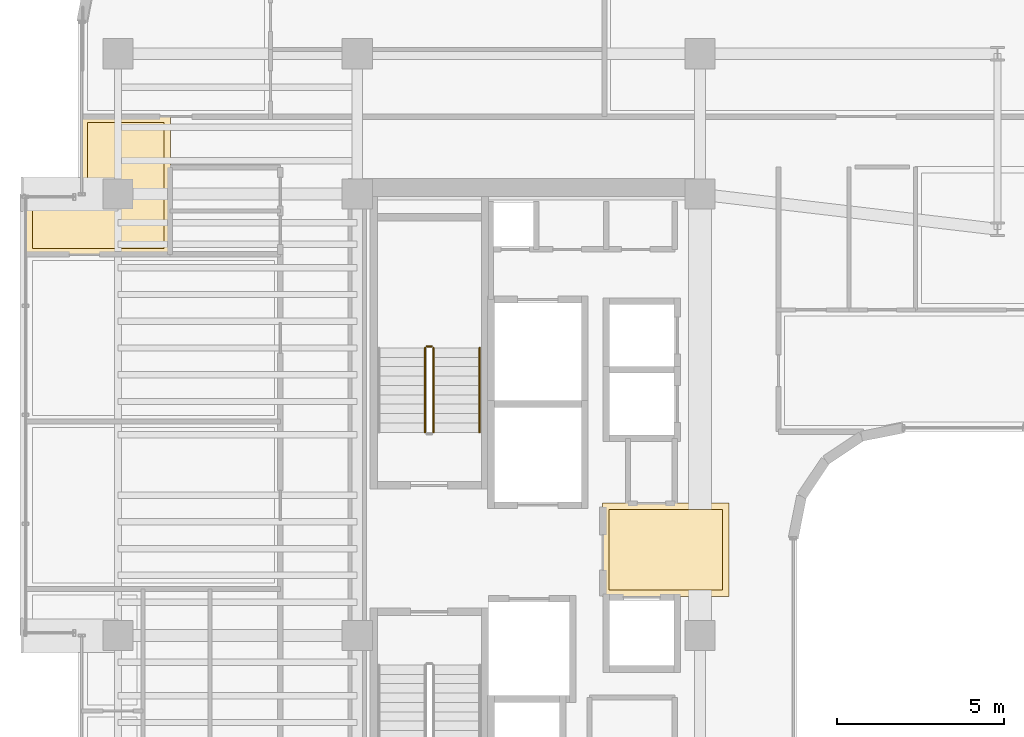
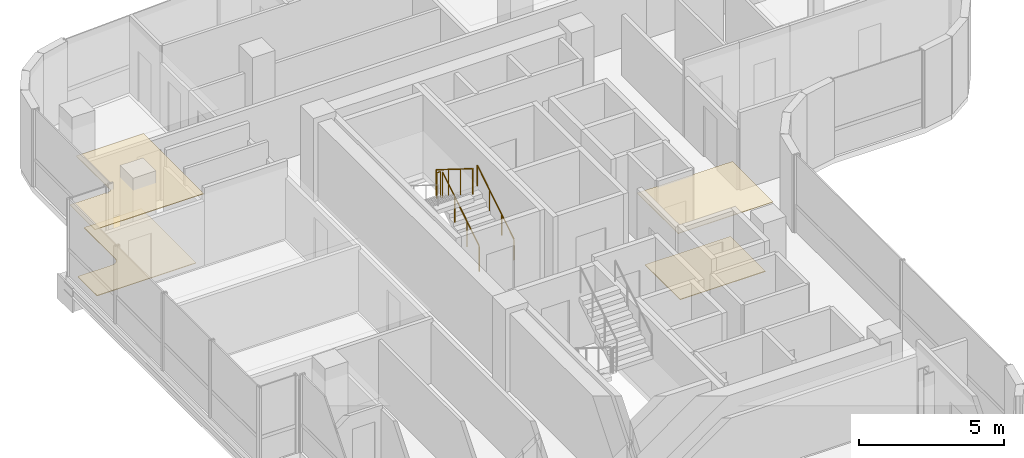
# One storey, part 21 of 22: 4 coverings, 4 railings.
"""IFC4 building model written with IfcOpenShell, lengths in metres."""

from ifc_helpers import new_model, si_unit, direction, frame, origin, origin_2d, place, context, subcontext, project, spatial, polyline, circle, outline, extrude, material, layer, layer_set, type_object, element, save


model = new_model("IFC4")

# Units and contexts
model_context = context("Model", 3, precision=1e-05, world=origin(), true_north=direction((0.0, 1.0)))
body_context = subcontext(model_context, "Body", "Model", "MODEL_VIEW")
ifc_project = project(units=[si_unit("LENGTHUNIT", "METRE"), si_unit("AREAUNIT", "SQUARE_METRE"), si_unit("VOLUMEUNIT", "CUBIC_METRE"), si_unit("PLANEANGLEUNIT", "RADIAN"), si_unit("MASSUNIT", "GRAM", prefix="KILO")], contexts=[model_context])

# Site, building, storey
site_placement = place(None, origin())
site = spatial("IfcSite", under=ifc_project, at=site_placement, CompositionType="ELEMENT")
building_placement = place(site_placement, origin())
building = spatial("IfcBuilding", under=site, at=building_placement, Name="Valdorenza Pilgrim Sanctuary Tower", CompositionType="ELEMENT")
storey_placement = place(building_placement, frame((0.0, 0.0, 209.0)))
storey = spatial("IfcBuildingStorey", under=building, at=storey_placement, Name="L53", CompositionType="ELEMENT", Elevation=209.0)

# Coverings
ifc_material_1 = material(Name="Micro-perforated acoustic mineral ceiling tile", Category="gypsum")
ifc_layer_1 = layer(ifc_material_1, 0.02490234375, Name="Micro-perforated acoustic mineral ceiling tile")
ifc_layer_set_1 = layer_set([ifc_layer_1], Name="Micro-perforated acoustic mineral ceiling tile")
covering_type_1 = type_object("IfcCoveringType", Name="COV-CLG-ACU", PredefinedType="CEILING", material=ifc_layer_set_1)
covering_1_placement = place(storey_placement, frame((0.0, 0.0, 2.9599609375)))
element("IfcCovering", 1, at=covering_1_placement, inside=storey, type_object=covering_type_1, Name="L53 Core A Passenger Lift Lobby Acoustic Ceiling", PredefinedType="CEILING", context=body_context, shape_type="SweptSolid", body=[
    extrude(outline(polyline([(-15.31494140625, 1.35009765625), (-15.31494140625, 1.3515625), (-15.314697265625, 1.352783203125), (-15.314453125, 1.3544921875), (-15.31396484375, 1.355712890625), (-15.313232421875, 1.357177734375), (-15.3125, 1.3583984375), (-15.3115234375, 1.359619140625), (-15.310546875, 1.360595703125), (-15.3095703125, 1.361572265625), (-15.308349609375, 1.362548828125), (-15.30712890625, 1.36328125), (-15.3056640625, 1.364013671875), (-15.304443359375, 1.364501953125), (-15.302978515625, 1.36474609375), (-15.301513671875, 1.364990234375), (-15.300048828125, 1.364990234375), (-11.550048828125, 1.364990234375), (-11.548583984375, 1.364990234375), (-11.547119140625, 1.36474609375), (-11.545654296875, 1.364501953125), (-11.544189453125, 1.364013671875), (-11.54296875, 1.36328125), (-11.541748046875, 1.362548828125), (-11.54052734375, 1.361572265625), (-11.539306640625, 1.360595703125), (-11.538330078125, 1.359619140625), (-11.53759765625, 1.3583984375), (-11.536865234375, 1.357177734375), (-11.5361328125, 1.355712890625), (-11.53564453125, 1.3544921875), (-11.535400390625, 1.352783203125), (-11.53515625, 1.3515625), (-11.534912109375, 1.35009765625), (-11.534912109375, -1.419921875), (-11.53515625, -1.42138671875), (-11.535400390625, -1.4228515625), (-11.53564453125, -1.42431640625), (-11.5361328125, -1.42578125), (-11.536865234375, -1.427001953125), (-11.53759765625, -1.42822265625), (-11.538330078125, -1.429443359375), (-11.539306640625, -1.4306640625), (-11.54052734375, -1.431640625), (-11.541748046875, -1.4326171875), (-11.54296875, -1.43310546875), (-11.544189453125, -1.433837890625), (-11.545654296875, -1.434326171875), (-11.547119140625, -1.434814453125), (-11.548583984375, -1.434814453125), (-11.550048828125, -1.43505859375), (-15.298095703125, -1.43505859375), (-15.299560546875, -1.434814453125), (-15.30078125, -1.434814453125), (-15.302490234375, -1.434326171875), (-15.3037109375, -1.433837890625), (-15.30517578125, -1.43310546875), (-15.306396484375, -1.4326171875), (-15.3076171875, -1.431640625), (-15.30859375, -1.4306640625), (-15.3095703125, -1.429443359375), (-15.310546875, -1.42822265625), (-15.311279296875, -1.427001953125), (-15.31201171875, -1.42578125), (-15.3125, -1.42431640625), (-15.312744140625, -1.4228515625), (-15.31298828125, -1.42138671875), (-15.31298828125, -1.419921875), (-15.31298828125, 1.244384765625), (-15.31298828125, 1.24462890625), (-15.313720703125, 1.24609375), (-15.314208984375, 1.24755859375), (-15.314697265625, 1.2490234375), (-15.31494140625, 1.25048828125), (-15.31494140625, 1.251953125), (-15.31494140625, 1.35009765625)])), origin(), (0.0, 0.0, 1.0), 0.025146484375),
])
covering_2_placement = place(storey_placement, frame((0.0, 0.0, 2.9599609375)))
element("IfcCovering", 2, at=covering_2_placement, inside=storey, type_object=covering_type_1, Name="L53 Pilgrim Scholar Office L53-WN Acoustic Ceiling", PredefinedType="CEILING", context=body_context, shape_type="SweptSolid", body=[
    extrude(outline(polyline([(-28.237060546875, 11.39453125), (-28.237060546875, 10.103759765625), (-28.23681640625, 10.10302734375), (-28.23681640625, 10.1015625), (-28.23681640625, 10.10009765625), (-28.23681640625, 10.098388671875), (-28.237060546875, 10.09814453125), (-28.237060546875, 8.800048828125), (-28.237060546875, 8.798583984375), (-28.2373046875, 8.797119140625), (-28.237548828125, 8.795654296875), (-28.238037109375, 8.794189453125), (-28.23876953125, 8.79296875), (-28.239501953125, 8.791748046875), (-28.240478515625, 8.79052734375), (-28.241455078125, 8.789306640625), (-28.242431640625, 8.788330078125), (-28.24365234375, 8.78759765625), (-28.244873046875, 8.786865234375), (-28.246337890625, 8.7861328125), (-28.24755859375, 8.78564453125), (-28.2490234375, 8.785400390625), (-28.25048828125, 8.78515625), (-28.251953125, 8.784912109375), (-32.5400390625, 8.784912109375), (-32.54150390625, 8.78515625), (-32.54296875, 8.785400390625), (-32.54443359375, 8.78564453125), (-32.545654296875, 8.7861328125), (-32.547119140625, 8.786865234375), (-32.54833984375, 8.78759765625), (-32.549560546875, 8.788330078125), (-32.550537109375, 8.789306640625), (-32.551513671875, 8.79052734375), (-32.552490234375, 8.791748046875), (-32.55322265625, 8.79296875), (-32.553955078125, 8.794189453125), (-32.554443359375, 8.795654296875), (-32.5546875, 8.797119140625), (-32.554931640625, 8.798583984375), (-32.554931640625, 8.800048828125), (-32.554931640625, 10.489990234375), (-32.554931640625, 10.491455078125), (-32.5546875, 10.492919921875), (-32.554443359375, 10.494384765625), (-32.553955078125, 10.49560546875), (-32.55322265625, 10.4970703125), (-32.552490234375, 10.498291015625), (-32.551513671875, 10.49951171875), (-32.550537109375, 10.50048828125), (-32.549560546875, 10.501708984375), (-32.54833984375, 10.50244140625), (-32.547119140625, 10.503173828125), (-32.545654296875, 10.50390625), (-32.54443359375, 10.50439453125), (-32.54296875, 10.504638671875), (-32.54150390625, 10.5048828125), (-32.5400390625, 10.5048828125), (-31.00048828125, 10.5048828125), (-30.99072265625, 10.505615234375), (-30.9814453125, 10.5068359375), (-30.972412109375, 10.509033203125), (-30.963623046875, 10.51220703125), (-30.955078125, 10.51611328125), (-30.947265625, 10.52099609375), (-30.939697265625, 10.526611328125), (-30.932861328125, 10.53271484375), (-30.926513671875, 10.539794921875), (-30.9208984375, 10.547119140625), (-30.916259765625, 10.55517578125), (-30.912109375, 10.563720703125), (-30.9091796875, 10.572509765625), (-30.90673828125, 10.58154296875), (-30.905517578125, 10.5908203125), (-30.905029296875, 10.600341796875), (-30.905029296875, 12.919921875), (-30.90478515625, 12.92138671875), (-30.90478515625, 12.9228515625), (-30.904296875, 12.92431640625), (-30.90380859375, 12.92578125), (-30.9033203125, 12.927001953125), (-30.902587890625, 12.92822265625), (-30.901611328125, 12.929443359375), (-30.900634765625, 12.9306640625), (-30.8994140625, 12.931640625), (-30.898193359375, 12.9326171875), (-30.897216796875, 12.93310546875), (-30.895751953125, 12.933837890625), (-30.894287109375, 12.934326171875), (-30.892822265625, 12.934814453125), (-30.8916015625, 12.934814453125), (-30.889892578125, 12.93505859375), (-28.25, 12.93505859375), (-28.24853515625, 12.934814453125), (-28.2470703125, 12.934814453125), (-28.24560546875, 12.934326171875), (-28.244384765625, 12.933837890625), (-28.242919921875, 12.93310546875), (-28.24169921875, 12.9326171875), (-28.240478515625, 12.931640625), (-28.239501953125, 12.9306640625), (-28.23828125, 12.929443359375), (-28.237548828125, 12.92822265625), (-28.23681640625, 12.927001953125), (-28.236083984375, 12.92578125), (-28.235595703125, 12.92431640625), (-28.2353515625, 12.9228515625), (-28.235107421875, 12.92138671875), (-28.235107421875, 12.919921875), (-28.235107421875, 11.402099609375), (-28.235107421875, 11.400390625), (-28.2353515625, 11.39892578125), (-28.235595703125, 11.3974609375), (-28.236083984375, 11.39599609375), (-28.23681640625, 11.394775390625), (-28.237060546875, 11.39453125)])), origin(), (0.0, 0.0, 1.0), 0.025146484375),
])
ifc_material_2 = material(Name="Honed travertine stone flooring", Category="masonry")
ifc_layer_2 = layer(ifc_material_2, 0.030029296875, Name="Honed travertine stone flooring")
ifc_layer_set_2 = layer_set([ifc_layer_2], Name="Honed travertine stone flooring")
covering_type_2 = type_object("IfcCoveringType", Name="COV-FLR-TRV", PredefinedType="FLOORING", material=ifc_layer_set_2)
covering_3_placement = place(storey_placement, origin())
element("IfcCovering", 3, at=covering_3_placement, inside=storey, type_object=covering_type_2, Name="L53 Core A Passenger Lift Lobby Flooring", PredefinedType="FLOORING", context=body_context, shape_type="SweptSolid", body=[
    extrude(outline(polyline([(-15.117919921875, 1.169921875), (-11.72998046875, 1.169921875), (-11.72998046875, -1.239990234375), (-15.117919921875, -1.239990234375), (-15.117919921875, 1.169921875)])), origin(), (0.0, 0.0, 1.0), 0.02490234375),
])
covering_4_placement = place(storey_placement, origin())
element("IfcCovering", 4, at=covering_4_placement, inside=storey, type_object=covering_type_2, Name="L53 Pilgrim Scholar Office L53-WN Flooring", PredefinedType="FLOORING", context=body_context, shape_type="SweptSolid", body=[
    extrude(outline(polyline([(-28.431884765625, 10.100341796875), (-28.431884765625, 10.10009765625), (-28.431884765625, 8.97998046875), (-32.360107421875, 8.97998046875), (-32.360107421875, 10.31005859375), (-31.0, 10.31005859375), (-30.9912109375, 10.310302734375), (-30.98046875, 10.310791015625), (-30.962890625, 10.3125), (-30.9521484375, 10.314208984375), (-30.934814453125, 10.3173828125), (-30.92431640625, 10.320068359375), (-30.907470703125, 10.3251953125), (-30.897216796875, 10.328857421875), (-30.880859375, 10.335693359375), (-30.87109375, 10.34033203125), (-30.855712890625, 10.3486328125), (-30.84619140625, 10.35400390625), (-30.831787109375, 10.364013671875), (-30.822998046875, 10.370361328125), (-30.809326171875, 10.381591796875), (-30.80126953125, 10.388916015625), (-30.788818359375, 10.4013671875), (-30.781494140625, 10.4091796875), (-30.7705078125, 10.423095703125), (-30.763916015625, 10.431640625), (-30.754150390625, 10.4462890625), (-30.74853515625, 10.45556640625), (-30.740234375, 10.47119140625), (-30.735595703125, 10.48095703125), (-30.72900390625, 10.497314453125), (-30.725341796875, 10.50732421875), (-30.72021484375, 10.5244140625), (-30.717529296875, 10.534912109375), (-30.714111328125, 10.552001953125), (-30.71240234375, 10.562744140625), (-30.710693359375, 10.580322265625), (-30.710205078125, 10.59130859375), (-30.7099609375, 10.60009765625), (-30.7099609375, 12.739990234375), (-28.429931640625, 12.739990234375), (-28.429931640625, 11.427001953125), (-28.429931640625, 11.4267578125), (-28.429931640625, 11.426513671875), (-28.431884765625, 11.408935546875), (-28.431884765625, 11.40869140625), (-28.431884765625, 11.39990234375), (-28.431884765625, 10.10205078125), (-28.431884765625, 10.10107421875), (-28.431884765625, 10.100341796875)])), origin(), (0.0, 0.0, 1.0), 0.02490234375),
])

# Railings
ifc_material_3 = material(Name="Stainless steel Grade 316", Category="steel")
railing_type_1 = type_object("IfcRailingType", Name="RLG-GRD-1120", PredefinedType="GUARDRAIL", material=ifc_material_3)
railing_1_placement = place(storey_placement, frame((-20.3701171875, 3.47998046875, 0.175048828125)))
element("IfcRailing", 5, at=railing_1_placement, inside=storey, type_object=railing_type_1, Name="L53 ST-A1 stair guard 1", PredefinedType="GUARDRAIL", context=body_context, shape_type="SweptSolid", body=[
    extrude(circle(Radius=0.02392578125, at=origin_2d()), frame((0.0, 0.0, 1.076171875), z_axis=(0.0, 0.848007534815, 0.529984170421), x_axis=(-1.0, 0.0, 0.0)), (0.0, 0.0, 1.0), 2.9716796875),
    extrude(circle(Radius=0.02099609375, at=origin_2d()), origin(), (0.0, 0.0, 1.0), 1.052001953125),
    extrude(circle(Radius=0.02099609375, at=origin_2d()), frame((0.0, 0.840087890625, 0.52490234375)), (0.0, 0.0, 1.0), 1.052001953125),
    extrude(circle(Radius=0.02099609375, at=origin_2d()), frame((0.0, 1.679931640625, 1.050048828125)), (0.0, 0.0, 1.0), 1.052001953125),
    extrude(circle(Radius=0.02099609375, at=origin_2d()), frame((0.0, 2.52001953125, 1.574951171875)), (0.0, 0.0, 1.0), 1.052001953125),
])
railing_2_placement = place(storey_placement, frame((-20.419921875, 6.050048828125, 1.75)))
element("IfcRailing", 6, at=railing_2_placement, inside=storey, type_object=railing_type_1, Name="L53 ST-A1 stair guard 2", PredefinedType="GUARDRAIL", context=body_context, shape_type="SweptSolid", body=[
    extrude(circle(Radius=0.02392578125, at=origin_2d()), frame((0.0, 0.0, 1.076171875), z_axis=(-1.0, 0.0, 0.0), x_axis=(0.0, -1.0, 0.0)), (0.0, 0.0, 1.0), 0.150146484375),
    extrude(circle(Radius=0.02099609375, at=origin_2d()), origin(), (0.0, 0.0, 1.0), 1.052001953125),
    extrude(circle(Radius=0.02099609375, at=origin_2d()), frame((-0.150146484375, 0.0, 0.0)), (0.0, 0.0, 1.0), 1.052001953125),
])
railing_3_placement = place(storey_placement, frame((-20.6201171875, 6.0, 1.925048828125)))
element("IfcRailing", 7, at=railing_3_placement, inside=storey, type_object=railing_type_1, Name="L53 ST-A1 stair guard 3", PredefinedType="GUARDRAIL", context=body_context, shape_type="SweptSolid", body=[
    extrude(circle(Radius=0.02392578125, at=origin_2d()), frame((0.0, 0.0, 1.076171875), z_axis=(0.0, -0.848007534815, 0.529984170421), x_axis=(1.0, 0.0, 0.0)), (0.0, 0.0, 1.0), 2.9716796875),
    extrude(circle(Radius=0.02099609375, at=origin_2d()), origin(), (0.0, 0.0, 1.0), 1.052001953125),
    extrude(circle(Radius=0.02099609375, at=origin_2d()), frame((0.0, -0.840087890625, 0.52490234375)), (0.0, 0.0, 1.0), 1.052001953125),
    extrude(circle(Radius=0.02099609375, at=origin_2d()), frame((0.0, -1.679931640625, 1.050048828125)), (0.0, 0.0, 1.0), 1.052001953125),
    extrude(circle(Radius=0.02099609375, at=origin_2d()), frame((0.0, -2.52001953125, 1.574951171875)), (0.0, 0.0, 1.0), 1.052001953125),
])
ifc_material_4 = material(Name="Brushed stainless steel Grade 316", Category="steel")
railing_type_2 = type_object("IfcRailingType", Name="RLG-HND-920", PredefinedType="HANDRAIL", material=ifc_material_4)
railing_4_placement = place(storey_placement, frame((-18.989990234375, 3.47998046875, 0.175048828125)))
element("IfcRailing", 8, at=railing_4_placement, inside=storey, type_object=railing_type_2, Name="L53 ST-A1 stair handrail 1", PredefinedType="HANDRAIL", context=body_context, shape_type="SweptSolid", body=[
    extrude(circle(Radius=0.02392578125, at=origin_2d()), frame((0.0, 0.0, 0.8759765625), z_axis=(0.0, 0.848007534815, 0.529984170421), x_axis=(-1.0, 0.0, 0.0)), (0.0, 0.0, 1.0), 2.9716796875),
    extrude(circle(Radius=0.02099609375, at=origin_2d()), origin(), (0.0, 0.0, 1.0), 0.851806640625),
    extrude(circle(Radius=0.02099609375, at=origin_2d()), frame((0.0, 0.840087890625, 0.52490234375)), (0.0, 0.0, 1.0), 0.851806640625),
    extrude(circle(Radius=0.02099609375, at=origin_2d()), frame((0.0, 1.679931640625, 1.050048828125)), (0.0, 0.0, 1.0), 0.851806640625),
    extrude(circle(Radius=0.02099609375, at=origin_2d()), frame((0.0, 2.52001953125, 1.574951171875)), (0.0, 0.0, 1.0), 0.851806640625),
])

save(model, "model.ifc")
